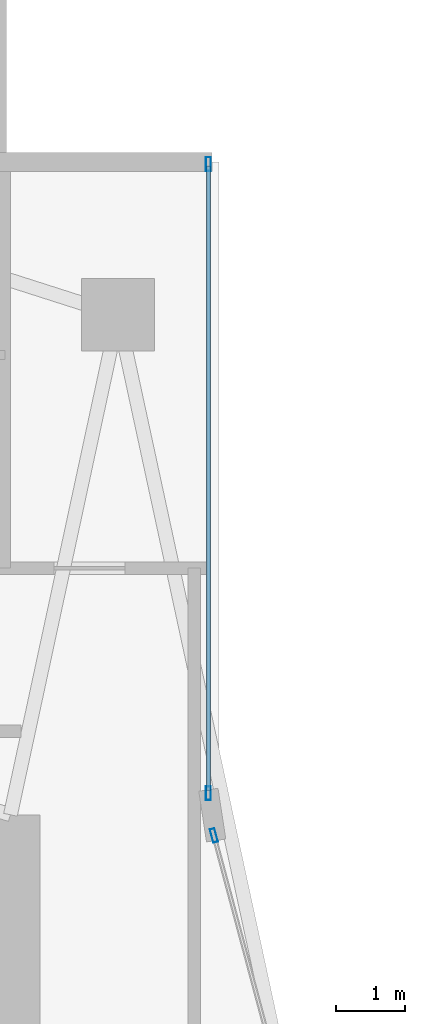
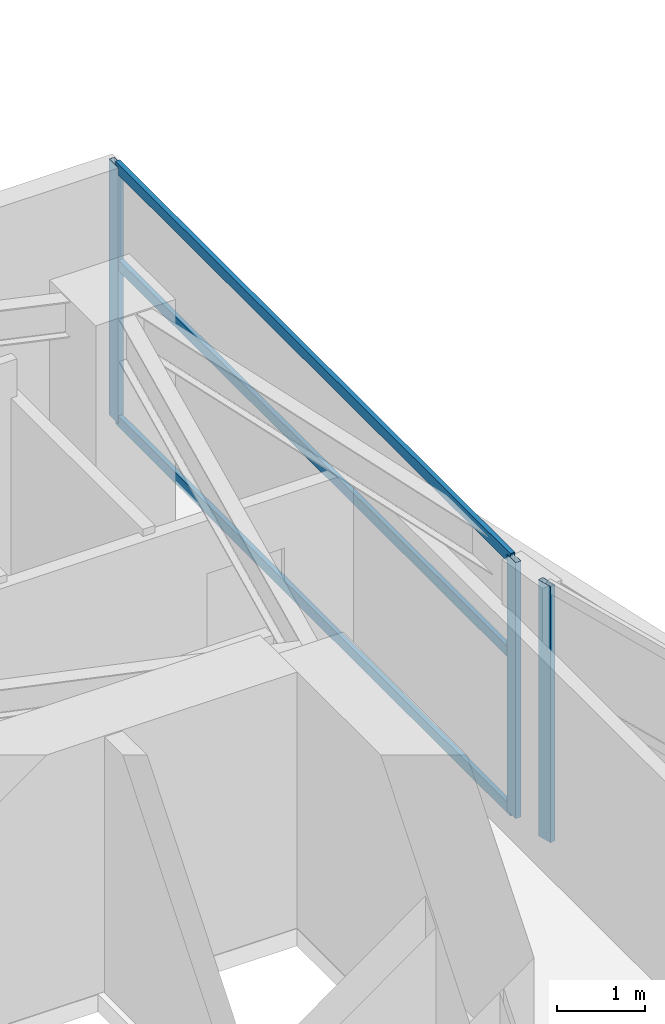
# One storey, part 18 of 29: 6 members, 2 elements without a shape of their own.
"""IFC4 building model written with IfcOpenShell, lengths in metres."""

from ifc_helpers import new_model, si_unit, direction, frame, origin, origin_2d, place, context, subcontext, project, spatial, hollow_rectangle, extrude, material, layer, layer_set, material_profile, profile_set, type_object, element, aggregate, save


model = new_model("IFC4")

# Units and contexts
model_context = context("Model", 3, precision=1e-05, world=origin(), true_north=direction((0.0, 1.0)))
body_context = subcontext(model_context, "Body", "Model", "MODEL_VIEW")
ifc_project = project(units=[si_unit("LENGTHUNIT", "METRE"), si_unit("AREAUNIT", "SQUARE_METRE"), si_unit("VOLUMEUNIT", "CUBIC_METRE"), si_unit("PLANEANGLEUNIT", "RADIAN"), si_unit("MASSUNIT", "GRAM", prefix="KILO")], contexts=[model_context])

# Site, building, storey
site_placement = place(None, origin())
site = spatial("IfcSite", under=ifc_project, at=site_placement, CompositionType="ELEMENT")
building_placement = place(site_placement, origin())
building = spatial("IfcBuilding", under=site, at=building_placement, Name="Calvorn Quay Hotel", CompositionType="ELEMENT")
storey_placement = place(building_placement, frame((0.0, 0.0, 163.699951171875)))
storey = spatial("IfcBuildingStorey", under=building, at=storey_placement, Name="L40", CompositionType="ELEMENT", Elevation=163.699951171875)

# Curtain wall, member
ifc_material_1 = material(Name="Pale Anodised Aluminium and Low-E Glass", Category="aluminium")
ifc_layer = layer(ifc_material_1, 0.219970703125)
ifc_layer_set = layer_set([ifc_layer], Name="CW-SYS-Z2")
curtain_wall_type = type_object("IfcCurtainWallType", Name="CW-SYS-Z2", PredefinedType="NOTDEFINED", material=ifc_layer_set)
curtain_wall_1_placement = place(storey_placement, origin())
curtain_wall_1 = element("IfcCurtainWall", 1, at=curtain_wall_1_placement, inside=storey, type_object=curtain_wall_type, Name="Inner Court Curtain Wall L40-IC1", PredefinedType="NOTDEFINED")
ifc_material_2 = material(Name="Pale Anodised Aluminium 6063-T6", Category="aluminium")
ifc_material_profile_1 = material_profile(ifc_material_2, hollow_rectangle(XDim=0.070068359375, YDim=0.199951171875, WallThickness=0.00390625, at=origin_2d()), Name="ALU-M200x70x4")
ifc_profile_set_1 = profile_set([ifc_material_profile_1], Name="Pale Anodised Aluminium 6063-T6")
member_type_1 = type_object("IfcMemberType", Name="CW-SYS-Z2-MUL", PredefinedType="MULLION", material=ifc_profile_set_1)
member_1_placement = place(storey_placement, frame((17.9296875, 38.10107421875, 0.0), z_axis=(0.0, 0.0, 1.0), x_axis=(-0.96593652056, -0.25877913024, 0.0)))
member_1 = element("IfcMember", 2, at=member_1_placement, type_object=member_type_1, Name="CW-L40-IC1 mullion 2", PredefinedType="MULLION", context=body_context, shape_type="SweptSolid", body=[
    extrude(hollow_rectangle(XDim=0.070068359375, YDim=0.199951171875, WallThickness=0.00390625, at=origin_2d()), origin(), (0.0, 0.0, 1.0), 3.56005859375),
])
aggregate(curtain_wall_1, [member_1])

# Curtain wall, members
curtain_wall_2_placement = place(storey_placement, origin())
curtain_wall_2 = element("IfcCurtainWall", 3, at=curtain_wall_2_placement, inside=storey, type_object=curtain_wall_type, Name="Inner Court Curtain Wall L40-IC2", PredefinedType="NOTDEFINED")
member_2_placement = place(storey_placement, frame((17.85009765625, 38.7099609375, 0.0), z_axis=(0.0, 0.0, 1.0), x_axis=(-1.0, 0.0, 0.0)))
member_2 = element("IfcMember", 4, at=member_2_placement, type_object=member_type_1, Name="CW-L40-IC2 mullion 1", PredefinedType="MULLION", context=body_context, shape_type="SweptSolid", body=[
    extrude(hollow_rectangle(XDim=0.070068359375, YDim=0.199951171875, WallThickness=0.00390625, at=origin_2d()), origin(), (0.0, 0.0, 1.0), 3.56005859375),
])
member_3_placement = place(storey_placement, frame((17.85009765625, 47.77001953125, 0.0), z_axis=(0.0, 0.0, 1.0), x_axis=(-1.0, 0.0, 0.0)))
member_3 = element("IfcMember", 5, at=member_3_placement, type_object=member_type_1, Name="CW-L40-IC2 mullion 2", PredefinedType="MULLION", context=body_context, shape_type="SweptSolid", body=[
    extrude(hollow_rectangle(XDim=0.070068359375, YDim=0.199951171875, WallThickness=0.00390625, at=origin_2d()), origin(), (0.0, 0.0, 1.0), 3.56005859375),
])
ifc_material_3 = material(Name="Pale Anodised Aluminium 6063-T6", Category="aluminium")
ifc_material_profile_2 = material_profile(ifc_material_3, hollow_rectangle(XDim=0.06005859375, YDim=0.14990234375, WallThickness=0.00341796875, at=origin_2d()), Name="ALU-T150x60x3.5")
ifc_profile_set_2 = profile_set([ifc_material_profile_2], Name="Pale Anodised Aluminium 6063-T6")
member_type_2 = type_object("IfcMemberType", Name="CW-SYS-Z2-TRN", PredefinedType="USERDEFINED", material=ifc_profile_set_2)
member_4_placement = place(storey_placement, frame((17.85009765625, 38.739990234375, 0.030029296875), z_axis=(0.0, 1.0, 0.0), x_axis=(-1.0, 0.0, 0.0)))
member_4 = element("IfcMember", 6, at=member_4_placement, type_object=member_type_2, Name="CW-L40-IC2 transom 1.1", ObjectType="TRANSOM", PredefinedType="USERDEFINED", context=body_context, shape_type="SweptSolid", body=[
    extrude(hollow_rectangle(XDim=0.06005859375, YDim=0.14990234375, WallThickness=0.00341796875, at=origin_2d()), origin(), (0.0, 0.0, 1.0), 9.0),
])
member_5_placement = place(storey_placement, frame((17.85009765625, 38.739990234375, 2.199951171875), z_axis=(0.0, 1.0, 0.0), x_axis=(-1.0, 0.0, 0.0)))
member_5 = element("IfcMember", 7, at=member_5_placement, type_object=member_type_2, Name="CW-L40-IC2 transom 1.2", ObjectType="TRANSOM", PredefinedType="USERDEFINED", context=body_context, shape_type="SweptSolid", body=[
    extrude(hollow_rectangle(XDim=0.06005859375, YDim=0.14990234375, WallThickness=0.00341796875, at=origin_2d()), origin(), (0.0, 0.0, 1.0), 9.0),
])
member_6_placement = place(storey_placement, frame((17.85009765625, 38.739990234375, 3.530029296875), z_axis=(0.0, 1.0, 0.0), x_axis=(-1.0, 0.0, 0.0)))
member_6 = element("IfcMember", 8, at=member_6_placement, type_object=member_type_2, Name="CW-L40-IC2 transom 1.3", ObjectType="TRANSOM", PredefinedType="USERDEFINED", context=body_context, shape_type="SweptSolid", body=[
    extrude(hollow_rectangle(XDim=0.06005859375, YDim=0.14990234375, WallThickness=0.00341796875, at=origin_2d()), origin(), (0.0, 0.0, 1.0), 9.0),
])
aggregate(curtain_wall_2, [member_2, member_3, member_4, member_5, member_6])

save(model, "model.ifc")
